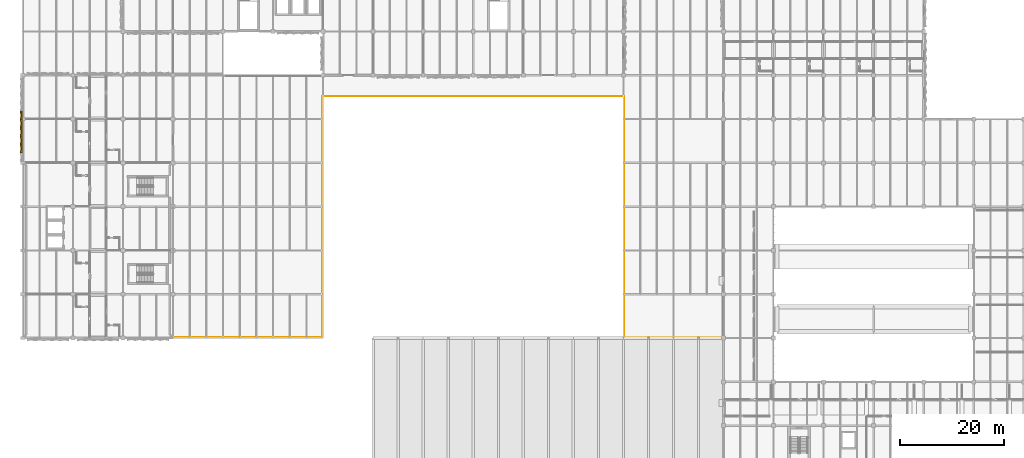
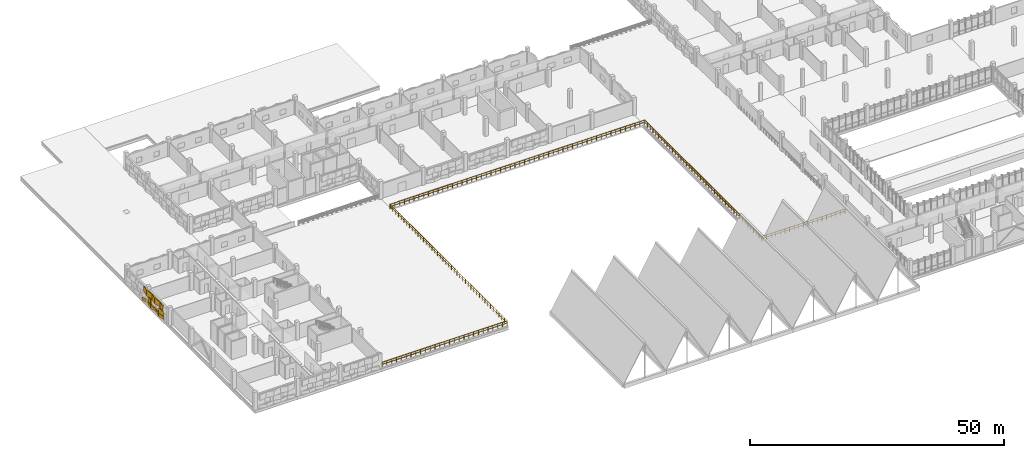
# One storey, part 71 of 86: 12 coverings, 1 railing.
"""IFC4 building model written with IfcOpenShell, lengths in metres."""

from ifc_helpers import new_model, si_unit, direction, frame, origin, origin_2d, place, context, subcontext, project, spatial, polyline, circle, outline, extrude, material, type_object, element, save


model = new_model("IFC4")

# Units and contexts
model_context = context("Model", 3, precision=1e-05, world=origin(), true_north=direction((0.0, 1.0)))
body_context = subcontext(model_context, "Body", "Model", "MODEL_VIEW")
ifc_project = project(units=[si_unit("LENGTHUNIT", "METRE"), si_unit("AREAUNIT", "SQUARE_METRE"), si_unit("VOLUMEUNIT", "CUBIC_METRE"), si_unit("PLANEANGLEUNIT", "RADIAN"), si_unit("MASSUNIT", "GRAM", prefix="KILO")], contexts=[model_context])

# Site, building, storey
site_placement = place(None, origin())
site = spatial("IfcSite", under=ifc_project, at=site_placement, CompositionType="ELEMENT")
building_placement = place(site_placement, origin())
building = spatial("IfcBuilding", under=site, at=building_placement, Name="Oolite Switchyard Hospital", CompositionType="ELEMENT")
storey_placement = place(building_placement, frame((0.0, 0.0, 13.5)))
storey = spatial("IfcBuildingStorey", under=building, at=storey_placement, Name="L03", CompositionType="ELEMENT", Elevation=13.5)

# Coverings
ifc_material_1 = material(Name="Precast oolitic limestone architectural concrete C40/50", Category="masonry")
covering_type = type_object("IfcCoveringType", Name="COV-CHEV-WARM", PredefinedType="CLADDING", material=ifc_material_1)
covering_1_placement = place(storey_placement, frame((-0.159912109375, 69.1201171875, 0.050048828125), z_axis=(0.0, 0.0, 1.0), x_axis=(0.0, 1.0, 0.0)))
element("IfcCovering", 1, at=covering_1_placement, inside=storey, type_object=covering_type, Name="L03 Chevron Precast Oolite Panel 345", PredefinedType="CLADDING", context=body_context, shape_type="SweptSolid", body=[
    extrude(outline(polyline([(0.0, 0.0), (1.599853515625, 0.0), (1.599853515625, 0.385009765625), (0.0, 0.044921875), (0.0, 0.0)])), origin(), (0.0, 0.0, 1.0), 0.760009765625),
])
covering_2_placement = place(storey_placement, frame((-0.159912109375, 69.1201171875, 2.090087890625), z_axis=(0.0, 0.0, 1.0), x_axis=(0.0, 1.0, 0.0)))
element("IfcCovering", 2, at=covering_2_placement, inside=storey, type_object=covering_type, Name="L03 Chevron Precast Oolite Panel 346", PredefinedType="CLADDING", context=body_context, shape_type="SweptSolid", body=[
    extrude(outline(polyline([(0.0, 0.0), (1.599853515625, 0.0), (1.599853515625, 0.044921875), (0.0, 0.385009765625), (0.0, 0.0)])), origin(), (0.0, 0.0, 1.0), 1.349853515625),
])
covering_3_placement = place(storey_placement, frame((-0.159912109375, 69.1201171875, 0.830078125), z_axis=(0.0, 0.0, 1.0), x_axis=(0.0, 1.0, 0.0)))
element("IfcCovering", 3, at=covering_3_placement, inside=storey, type_object=covering_type, Name="L03 Chevron Precast Oolite Panel 347", PredefinedType="CLADDING", context=body_context, shape_type="SweptSolid", body=[
    extrude(outline(polyline([(0.0, 0.0), (1.599853515625, 0.0), (1.599853515625, 0.385009765625), (0.0, 0.044921875), (0.0, 0.0)])), origin(), (0.0, 0.0, 1.0), 1.239990234375),
])
covering_4_placement = place(storey_placement, frame((-0.159912109375, 70.719970703125, 0.050048828125), z_axis=(0.0, 0.0, 1.0), x_axis=(0.0, 1.0, 0.0)))
element("IfcCovering", 4, at=covering_4_placement, inside=storey, type_object=covering_type, Name="L03 Chevron Precast Oolite Panel 348", PredefinedType="CLADDING", context=body_context, shape_type="SweptSolid", body=[
    extrude(outline(polyline([(0.0, 0.0), (1.60009765625, 0.0), (1.60009765625, 0.044921875), (0.0, 0.385009765625), (0.0, 0.0)])), origin(), (0.0, 0.0, 1.0), 0.760009765625),
])
covering_5_placement = place(storey_placement, frame((-0.159912109375, 70.719970703125, 2.090087890625), z_axis=(0.0, 0.0, 1.0), x_axis=(0.0, 1.0, 0.0)))
element("IfcCovering", 5, at=covering_5_placement, inside=storey, type_object=covering_type, Name="L03 Chevron Precast Oolite Panel 349", PredefinedType="CLADDING", context=body_context, shape_type="SweptSolid", body=[
    extrude(outline(polyline([(0.0, 0.0), (1.60009765625, 0.0), (1.60009765625, 0.385009765625), (0.0, 0.044921875), (0.0, 0.0)])), origin(), (0.0, 0.0, 1.0), 1.349853515625),
])
covering_6_placement = place(storey_placement, frame((-0.159912109375, 72.320068359375, 0.050048828125), z_axis=(0.0, 0.0, 1.0), x_axis=(0.0, 1.0, 0.0)))
element("IfcCovering", 6, at=covering_6_placement, inside=storey, type_object=covering_type, Name="L03 Chevron Precast Oolite Panel 350", PredefinedType="CLADDING", context=body_context, shape_type="SweptSolid", body=[
    extrude(outline(polyline([(0.0, 0.0), (1.599853515625, 0.0), (1.599853515625, 0.385009765625), (0.0, 0.044921875), (0.0, 0.0)])), origin(), (0.0, 0.0, 1.0), 0.760009765625),
])
covering_7_placement = place(storey_placement, frame((-0.159912109375, 72.320068359375, 2.090087890625), z_axis=(0.0, 0.0, 1.0), x_axis=(0.0, 1.0, 0.0)))
element("IfcCovering", 7, at=covering_7_placement, inside=storey, type_object=covering_type, Name="L03 Chevron Precast Oolite Panel 351", PredefinedType="CLADDING", context=body_context, shape_type="SweptSolid", body=[
    extrude(outline(polyline([(0.0, 0.0), (1.599853515625, 0.0), (1.599853515625, 0.044921875), (0.0, 0.385009765625), (0.0, 0.0)])), origin(), (0.0, 0.0, 1.0), 1.349853515625),
])
covering_8_placement = place(storey_placement, frame((-0.159912109375, 73.919921875, 0.050048828125), z_axis=(0.0, 0.0, 1.0), x_axis=(0.0, 1.0, 0.0)))
element("IfcCovering", 8, at=covering_8_placement, inside=storey, type_object=covering_type, Name="L03 Chevron Precast Oolite Panel 352", PredefinedType="CLADDING", context=body_context, shape_type="SweptSolid", body=[
    extrude(outline(polyline([(0.0, 0.0), (1.60009765625, 0.0), (1.60009765625, 0.044921875), (0.0, 0.385009765625), (0.0, 0.0)])), origin(), (0.0, 0.0, 1.0), 0.760009765625),
])
covering_9_placement = place(storey_placement, frame((-0.159912109375, 73.919921875, 2.090087890625), z_axis=(0.0, 0.0, 1.0), x_axis=(0.0, 1.0, 0.0)))
element("IfcCovering", 9, at=covering_9_placement, inside=storey, type_object=covering_type, Name="L03 Chevron Precast Oolite Panel 353", PredefinedType="CLADDING", context=body_context, shape_type="SweptSolid", body=[
    extrude(outline(polyline([(0.0, 0.0), (1.60009765625, 0.0), (1.60009765625, 0.385009765625), (0.0, 0.044921875), (0.0, 0.0)])), origin(), (0.0, 0.0, 1.0), 1.349853515625),
])
covering_10_placement = place(storey_placement, frame((-0.159912109375, 73.919921875, 0.830078125), z_axis=(0.0, 0.0, 1.0), x_axis=(0.0, 1.0, 0.0)))
element("IfcCovering", 10, at=covering_10_placement, inside=storey, type_object=covering_type, Name="L03 Chevron Precast Oolite Panel 354", PredefinedType="CLADDING", context=body_context, shape_type="SweptSolid", body=[
    extrude(outline(polyline([(0.0, 0.0), (1.60009765625, 0.0), (1.60009765625, 0.044921875), (0.0, 0.385009765625), (0.0, 0.0)])), origin(), (0.0, 0.0, 1.0), 1.239990234375),
])
covering_11_placement = place(storey_placement, frame((-0.159912109375, 75.52001953125, 0.050048828125), z_axis=(0.0, 0.0, 1.0), x_axis=(0.0, 1.0, 0.0)))
element("IfcCovering", 11, at=covering_11_placement, inside=storey, type_object=covering_type, Name="L03 Chevron Precast Oolite Panel 355", PredefinedType="CLADDING", context=body_context, shape_type="SweptSolid", body=[
    extrude(outline(polyline([(0.0, 0.0), (1.60009765625, 0.0), (1.60009765625, 0.385009765625), (0.0, 0.044921875), (0.0, 0.0)])), origin(), (0.0, 0.0, 1.0), 0.760009765625),
])
covering_12_placement = place(storey_placement, frame((-0.159912109375, 75.52001953125, 2.090087890625), z_axis=(0.0, 0.0, 1.0), x_axis=(0.0, 1.0, 0.0)))
element("IfcCovering", 12, at=covering_12_placement, inside=storey, type_object=covering_type, Name="L03 Chevron Precast Oolite Panel 356", PredefinedType="CLADDING", context=body_context, shape_type="SweptSolid", body=[
    extrude(outline(polyline([(0.0, 0.0), (1.60009765625, 0.0), (1.60009765625, 0.044921875), (0.0, 0.385009765625), (0.0, 0.0)])), origin(), (0.0, 0.0, 1.0), 1.349853515625),
])

# Railing
ifc_material_2 = material(Name="Precast oolitic limestone classical balustrade", Category="masonry")
railing_type = type_object("IfcRailingType", Name="RL-BAL-110", PredefinedType="BALUSTRADE", material=ifc_material_2)
railing_placement = place(storey_placement, frame((28.949951171875, 33.75, 0.0)))
element("IfcRailing", 13, at=railing_placement, inside=storey, type_object=railing_type, Name="L03 Terrace Perimeter Guard 4", PredefinedType="BALUSTRADE", context=body_context, shape_type="SweptSolid", body=[
    extrude(circle(Radius=0.02392578125, at=origin_2d()), frame((0.0, 0.0, 1.076171875), z_axis=(1.0, 0.0, 0.0), x_axis=(0.0, 1.0, 0.0)), (0.0, 0.0, 1.0), 28.5),
    extrude(circle(Radius=0.015625, at=origin_2d()), frame((0.0, 0.0, 0.550048828125), z_axis=(1.0, 0.0, 0.0), x_axis=(0.0, 1.0, 0.0)), (0.0, 0.0, 1.0), 28.5),
    extrude(circle(Radius=0.02392578125, at=origin_2d()), frame((28.5, 0.0, 1.076171875), z_axis=(0.0, 1.0, 0.0), x_axis=(-1.0, 0.0, 0.0)), (0.0, 0.0, 1.0), 46.199951171875),
    extrude(circle(Radius=0.015625, at=origin_2d()), frame((28.5, 0.0, 0.550048828125), z_axis=(0.0, 1.0, 0.0), x_axis=(-1.0, 0.0, 0.0)), (0.0, 0.0, 1.0), 46.199951171875),
    extrude(circle(Radius=0.02392578125, at=origin_2d()), frame((28.5, 46.199951171875, 1.076171875), z_axis=(1.0, 0.0, 0.0), x_axis=(0.0, 1.0, 0.0)), (0.0, 0.0, 1.0), 57.900146484375),
    extrude(circle(Radius=0.015625, at=origin_2d()), frame((28.5, 46.199951171875, 0.550048828125), z_axis=(1.0, 0.0, 0.0), x_axis=(0.0, 1.0, 0.0)), (0.0, 0.0, 1.0), 57.900146484375),
    extrude(circle(Radius=0.02392578125, at=origin_2d()), frame((86.400146484375, 46.199951171875, 1.076171875), z_axis=(0.0, -1.0, 0.0), x_axis=(1.0, 0.0, 0.0)), (0.0, 0.0, 1.0), 46.199951171875),
    extrude(circle(Radius=0.015625, at=origin_2d()), frame((86.400146484375, 46.199951171875, 0.550048828125), z_axis=(0.0, -1.0, 0.0), x_axis=(1.0, 0.0, 0.0)), (0.0, 0.0, 1.0), 46.199951171875),
    extrude(circle(Radius=0.02392578125, at=origin_2d()), frame((86.400146484375, 0.0, 1.076171875), z_axis=(1.0, 0.0, 0.0), x_axis=(0.0, 1.0, 0.0)), (0.0, 0.0, 1.0), 18.89990234375),
    extrude(circle(Radius=0.015625, at=origin_2d()), frame((86.400146484375, 0.0, 0.550048828125), z_axis=(1.0, 0.0, 0.0), x_axis=(0.0, 1.0, 0.0)), (0.0, 0.0, 1.0), 18.89990234375),
    extrude(circle(Radius=0.02099609375, at=origin_2d()), origin(), (0.0, 0.0, 1.0), 1.052001953125),
    extrude(circle(Radius=0.02099609375, at=origin_2d()), frame((1.09619140625, 0.0, 0.0)), (0.0, 0.0, 1.0), 1.052001953125),
    extrude(circle(Radius=0.02099609375, at=origin_2d()), frame((2.1923828125, 0.0, 0.0)), (0.0, 0.0, 1.0), 1.052001953125),
    extrude(circle(Radius=0.02099609375, at=origin_2d()), frame((3.28857421875, 0.0, 0.0)), (0.0, 0.0, 1.0), 1.052001953125),
    extrude(circle(Radius=0.02099609375, at=origin_2d()), frame((4.384521484375, 0.0, 0.0)), (0.0, 0.0, 1.0), 1.052001953125),
    extrude(circle(Radius=0.02099609375, at=origin_2d()), frame((5.480712890625, 0.0, 0.0)), (0.0, 0.0, 1.0), 1.052001953125),
    extrude(circle(Radius=0.02099609375, at=origin_2d()), frame((6.576904296875, 0.0, 0.0)), (0.0, 0.0, 1.0), 1.052001953125),
    extrude(circle(Radius=0.02099609375, at=origin_2d()), frame((7.673095703125, 0.0, 0.0)), (0.0, 0.0, 1.0), 1.052001953125),
    extrude(circle(Radius=0.02099609375, at=origin_2d()), frame((8.769287109375, 0.0, 0.0)), (0.0, 0.0, 1.0), 1.052001953125),
    extrude(circle(Radius=0.02099609375, at=origin_2d()), frame((9.865478515625, 0.0, 0.0)), (0.0, 0.0, 1.0), 1.052001953125),
    extrude(circle(Radius=0.02099609375, at=origin_2d()), frame((10.96142578125, 0.0, 0.0)), (0.0, 0.0, 1.0), 1.052001953125),
    extrude(circle(Radius=0.02099609375, at=origin_2d()), frame((12.0576171875, 0.0, 0.0)), (0.0, 0.0, 1.0), 1.052001953125),
    extrude(circle(Radius=0.02099609375, at=origin_2d()), frame((13.15380859375, 0.0, 0.0)), (0.0, 0.0, 1.0), 1.052001953125),
    extrude(circle(Radius=0.02099609375, at=origin_2d()), frame((14.25, 0.0, 0.0)), (0.0, 0.0, 1.0), 1.052001953125),
    extrude(circle(Radius=0.02099609375, at=origin_2d()), frame((15.34619140625, 0.0, 0.0)), (0.0, 0.0, 1.0), 1.052001953125),
    extrude(circle(Radius=0.02099609375, at=origin_2d()), frame((16.4423828125, 0.0, 0.0)), (0.0, 0.0, 1.0), 1.052001953125),
    extrude(circle(Radius=0.02099609375, at=origin_2d()), frame((17.53857421875, 0.0, 0.0)), (0.0, 0.0, 1.0), 1.052001953125),
    extrude(circle(Radius=0.02099609375, at=origin_2d()), frame((18.634521484375, 0.0, 0.0)), (0.0, 0.0, 1.0), 1.052001953125),
    extrude(circle(Radius=0.02099609375, at=origin_2d()), frame((19.730712890625, 0.0, 0.0)), (0.0, 0.0, 1.0), 1.052001953125),
    extrude(circle(Radius=0.02099609375, at=origin_2d()), frame((20.826904296875, 0.0, 0.0)), (0.0, 0.0, 1.0), 1.052001953125),
    extrude(circle(Radius=0.02099609375, at=origin_2d()), frame((21.923095703125, 0.0, 0.0)), (0.0, 0.0, 1.0), 1.052001953125),
    extrude(circle(Radius=0.02099609375, at=origin_2d()), frame((23.019287109375, 0.0, 0.0)), (0.0, 0.0, 1.0), 1.052001953125),
    extrude(circle(Radius=0.02099609375, at=origin_2d()), frame((24.115478515625, 0.0, 0.0)), (0.0, 0.0, 1.0), 1.052001953125),
    extrude(circle(Radius=0.02099609375, at=origin_2d()), frame((25.21142578125, 0.0, 0.0)), (0.0, 0.0, 1.0), 1.052001953125),
    extrude(circle(Radius=0.02099609375, at=origin_2d()), frame((26.3076171875, 0.0, 0.0)), (0.0, 0.0, 1.0), 1.052001953125),
    extrude(circle(Radius=0.02099609375, at=origin_2d()), frame((27.40380859375, 0.0, 0.0)), (0.0, 0.0, 1.0), 1.052001953125),
    extrude(circle(Radius=0.02099609375, at=origin_2d()), frame((28.5, 0.0, 0.0)), (0.0, 0.0, 1.0), 1.052001953125),
    extrude(circle(Radius=0.02099609375, at=origin_2d()), frame((28.5, 1.10009765625, 0.0)), (0.0, 0.0, 1.0), 1.052001953125),
    extrude(circle(Radius=0.02099609375, at=origin_2d()), frame((28.5, 2.199951171875, 0.0)), (0.0, 0.0, 1.0), 1.052001953125),
    extrude(circle(Radius=0.02099609375, at=origin_2d()), frame((28.5, 3.300048828125, 0.0)), (0.0, 0.0, 1.0), 1.052001953125),
    extrude(circle(Radius=0.02099609375, at=origin_2d()), frame((28.5, 4.39990234375, 0.0)), (0.0, 0.0, 1.0), 1.052001953125),
    extrude(circle(Radius=0.02099609375, at=origin_2d()), frame((28.5, 5.5, 0.0)), (0.0, 0.0, 1.0), 1.052001953125),
    extrude(circle(Radius=0.02099609375, at=origin_2d()), frame((28.5, 6.60009765625, 0.0)), (0.0, 0.0, 1.0), 1.052001953125),
    extrude(circle(Radius=0.02099609375, at=origin_2d()), frame((28.5, 7.699951171875, 0.0)), (0.0, 0.0, 1.0), 1.052001953125),
    extrude(circle(Radius=0.02099609375, at=origin_2d()), frame((28.5, 8.800048828125, 0.0)), (0.0, 0.0, 1.0), 1.052001953125),
    extrude(circle(Radius=0.02099609375, at=origin_2d()), frame((28.5, 9.89990234375, 0.0)), (0.0, 0.0, 1.0), 1.052001953125),
    extrude(circle(Radius=0.02099609375, at=origin_2d()), frame((28.5, 11.0, 0.0)), (0.0, 0.0, 1.0), 1.052001953125),
    extrude(circle(Radius=0.02099609375, at=origin_2d()), frame((28.5, 12.10009765625, 0.0)), (0.0, 0.0, 1.0), 1.052001953125),
    extrude(circle(Radius=0.02099609375, at=origin_2d()), frame((28.5, 13.199951171875, 0.0)), (0.0, 0.0, 1.0), 1.052001953125),
    extrude(circle(Radius=0.02099609375, at=origin_2d()), frame((28.5, 14.300048828125, 0.0)), (0.0, 0.0, 1.0), 1.052001953125),
    extrude(circle(Radius=0.02099609375, at=origin_2d()), frame((28.5, 15.39990234375, 0.0)), (0.0, 0.0, 1.0), 1.052001953125),
    extrude(circle(Radius=0.02099609375, at=origin_2d()), frame((28.5, 16.5, 0.0)), (0.0, 0.0, 1.0), 1.052001953125),
    extrude(circle(Radius=0.02099609375, at=origin_2d()), frame((28.5, 17.60009765625, 0.0)), (0.0, 0.0, 1.0), 1.052001953125),
    extrude(circle(Radius=0.02099609375, at=origin_2d()), frame((28.5, 18.699951171875, 0.0)), (0.0, 0.0, 1.0), 1.052001953125),
    extrude(circle(Radius=0.02099609375, at=origin_2d()), frame((28.5, 19.800048828125, 0.0)), (0.0, 0.0, 1.0), 1.052001953125),
    extrude(circle(Radius=0.02099609375, at=origin_2d()), frame((28.5, 20.89990234375, 0.0)), (0.0, 0.0, 1.0), 1.052001953125),
    extrude(circle(Radius=0.02099609375, at=origin_2d()), frame((28.5, 22.0, 0.0)), (0.0, 0.0, 1.0), 1.052001953125),
    extrude(circle(Radius=0.02099609375, at=origin_2d()), frame((28.5, 23.10009765625, 0.0)), (0.0, 0.0, 1.0), 1.052001953125),
    extrude(circle(Radius=0.02099609375, at=origin_2d()), frame((28.5, 24.199951171875, 0.0)), (0.0, 0.0, 1.0), 1.052001953125),
    extrude(circle(Radius=0.02099609375, at=origin_2d()), frame((28.5, 25.300048828125, 0.0)), (0.0, 0.0, 1.0), 1.052001953125),
    extrude(circle(Radius=0.02099609375, at=origin_2d()), frame((28.5, 26.39990234375, 0.0)), (0.0, 0.0, 1.0), 1.052001953125),
    extrude(circle(Radius=0.02099609375, at=origin_2d()), frame((28.5, 27.5, 0.0)), (0.0, 0.0, 1.0), 1.052001953125),
    extrude(circle(Radius=0.02099609375, at=origin_2d()), frame((28.5, 28.599853515625, 0.0)), (0.0, 0.0, 1.0), 1.052001953125),
    extrude(circle(Radius=0.02099609375, at=origin_2d()), frame((28.5, 29.699951171875, 0.0)), (0.0, 0.0, 1.0), 1.052001953125),
    extrude(circle(Radius=0.02099609375, at=origin_2d()), frame((28.5, 30.800048828125, 0.0)), (0.0, 0.0, 1.0), 1.052001953125),
    extrude(circle(Radius=0.02099609375, at=origin_2d()), frame((28.5, 31.89990234375, 0.0)), (0.0, 0.0, 1.0), 1.052001953125),
    extrude(circle(Radius=0.02099609375, at=origin_2d()), frame((28.5, 33.0, 0.0)), (0.0, 0.0, 1.0), 1.052001953125),
    extrude(circle(Radius=0.02099609375, at=origin_2d()), frame((28.5, 34.099853515625, 0.0)), (0.0, 0.0, 1.0), 1.052001953125),
    extrude(circle(Radius=0.02099609375, at=origin_2d()), frame((28.5, 35.199951171875, 0.0)), (0.0, 0.0, 1.0), 1.052001953125),
    extrude(circle(Radius=0.02099609375, at=origin_2d()), frame((28.5, 36.300048828125, 0.0)), (0.0, 0.0, 1.0), 1.052001953125),
    extrude(circle(Radius=0.02099609375, at=origin_2d()), frame((28.5, 37.39990234375, 0.0)), (0.0, 0.0, 1.0), 1.052001953125),
    extrude(circle(Radius=0.02099609375, at=origin_2d()), frame((28.5, 38.5, 0.0)), (0.0, 0.0, 1.0), 1.052001953125),
    extrude(circle(Radius=0.02099609375, at=origin_2d()), frame((28.5, 39.599853515625, 0.0)), (0.0, 0.0, 1.0), 1.052001953125),
    extrude(circle(Radius=0.02099609375, at=origin_2d()), frame((28.5, 40.699951171875, 0.0)), (0.0, 0.0, 1.0), 1.052001953125),
    extrude(circle(Radius=0.02099609375, at=origin_2d()), frame((28.5, 41.800048828125, 0.0)), (0.0, 0.0, 1.0), 1.052001953125),
    extrude(circle(Radius=0.02099609375, at=origin_2d()), frame((28.5, 42.89990234375, 0.0)), (0.0, 0.0, 1.0), 1.052001953125),
    extrude(circle(Radius=0.02099609375, at=origin_2d()), frame((28.5, 44.0, 0.0)), (0.0, 0.0, 1.0), 1.052001953125),
    extrude(circle(Radius=0.02099609375, at=origin_2d()), frame((28.5, 45.099853515625, 0.0)), (0.0, 0.0, 1.0), 1.052001953125),
    extrude(circle(Radius=0.02099609375, at=origin_2d()), frame((28.5, 46.199951171875, 0.0)), (0.0, 0.0, 1.0), 1.052001953125),
    extrude(circle(Radius=0.02099609375, at=origin_2d()), frame((29.592529296875, 46.199951171875, 0.0)), (0.0, 0.0, 1.0), 1.052001953125),
    extrude(circle(Radius=0.02099609375, at=origin_2d()), frame((30.684814453125, 46.199951171875, 0.0)), (0.0, 0.0, 1.0), 1.052001953125),
    extrude(circle(Radius=0.02099609375, at=origin_2d()), frame((31.77734375, 46.199951171875, 0.0)), (0.0, 0.0, 1.0), 1.052001953125),
    extrude(circle(Radius=0.02099609375, at=origin_2d()), frame((32.869873046875, 46.199951171875, 0.0)), (0.0, 0.0, 1.0), 1.052001953125),
    extrude(circle(Radius=0.02099609375, at=origin_2d()), frame((33.962158203125, 46.199951171875, 0.0)), (0.0, 0.0, 1.0), 1.052001953125),
    extrude(circle(Radius=0.02099609375, at=origin_2d()), frame((35.0546875, 46.199951171875, 0.0)), (0.0, 0.0, 1.0), 1.052001953125),
    extrude(circle(Radius=0.02099609375, at=origin_2d()), frame((36.147216796875, 46.199951171875, 0.0)), (0.0, 0.0, 1.0), 1.052001953125),
    extrude(circle(Radius=0.02099609375, at=origin_2d()), frame((37.23974609375, 46.199951171875, 0.0)), (0.0, 0.0, 1.0), 1.052001953125),
    extrude(circle(Radius=0.02099609375, at=origin_2d()), frame((38.33203125, 46.199951171875, 0.0)), (0.0, 0.0, 1.0), 1.052001953125),
    extrude(circle(Radius=0.02099609375, at=origin_2d()), frame((39.424560546875, 46.199951171875, 0.0)), (0.0, 0.0, 1.0), 1.052001953125),
    extrude(circle(Radius=0.02099609375, at=origin_2d()), frame((40.51708984375, 46.199951171875, 0.0)), (0.0, 0.0, 1.0), 1.052001953125),
    extrude(circle(Radius=0.02099609375, at=origin_2d()), frame((41.609375, 46.199951171875, 0.0)), (0.0, 0.0, 1.0), 1.052001953125),
    extrude(circle(Radius=0.02099609375, at=origin_2d()), frame((42.701904296875, 46.199951171875, 0.0)), (0.0, 0.0, 1.0), 1.052001953125),
    extrude(circle(Radius=0.02099609375, at=origin_2d()), frame((43.79443359375, 46.199951171875, 0.0)), (0.0, 0.0, 1.0), 1.052001953125),
    extrude(circle(Radius=0.02099609375, at=origin_2d()), frame((44.88671875, 46.199951171875, 0.0)), (0.0, 0.0, 1.0), 1.052001953125),
    extrude(circle(Radius=0.02099609375, at=origin_2d()), frame((45.979248046875, 46.199951171875, 0.0)), (0.0, 0.0, 1.0), 1.052001953125),
    extrude(circle(Radius=0.02099609375, at=origin_2d()), frame((47.07177734375, 46.199951171875, 0.0)), (0.0, 0.0, 1.0), 1.052001953125),
    extrude(circle(Radius=0.02099609375, at=origin_2d()), frame((48.164306640625, 46.199951171875, 0.0)), (0.0, 0.0, 1.0), 1.052001953125),
    extrude(circle(Radius=0.02099609375, at=origin_2d()), frame((49.256591796875, 46.199951171875, 0.0)), (0.0, 0.0, 1.0), 1.052001953125),
    extrude(circle(Radius=0.02099609375, at=origin_2d()), frame((50.34912109375, 46.199951171875, 0.0)), (0.0, 0.0, 1.0), 1.052001953125),
    extrude(circle(Radius=0.02099609375, at=origin_2d()), frame((51.441650390625, 46.199951171875, 0.0)), (0.0, 0.0, 1.0), 1.052001953125),
    extrude(circle(Radius=0.02099609375, at=origin_2d()), frame((52.533935546875, 46.199951171875, 0.0)), (0.0, 0.0, 1.0), 1.052001953125),
    extrude(circle(Radius=0.02099609375, at=origin_2d()), frame((53.62646484375, 46.199951171875, 0.0)), (0.0, 0.0, 1.0), 1.052001953125),
    extrude(circle(Radius=0.02099609375, at=origin_2d()), frame((54.718994140625, 46.199951171875, 0.0)), (0.0, 0.0, 1.0), 1.052001953125),
    extrude(circle(Radius=0.02099609375, at=origin_2d()), frame((55.811279296875, 46.199951171875, 0.0)), (0.0, 0.0, 1.0), 1.052001953125),
    extrude(circle(Radius=0.02099609375, at=origin_2d()), frame((56.90380859375, 46.199951171875, 0.0)), (0.0, 0.0, 1.0), 1.052001953125),
    extrude(circle(Radius=0.02099609375, at=origin_2d()), frame((57.996337890625, 46.199951171875, 0.0)), (0.0, 0.0, 1.0), 1.052001953125),
    extrude(circle(Radius=0.02099609375, at=origin_2d()), frame((59.0888671875, 46.199951171875, 0.0)), (0.0, 0.0, 1.0), 1.052001953125),
    extrude(circle(Radius=0.02099609375, at=origin_2d()), frame((60.18115234375, 46.199951171875, 0.0)), (0.0, 0.0, 1.0), 1.052001953125),
    extrude(circle(Radius=0.02099609375, at=origin_2d()), frame((61.273681640625, 46.199951171875, 0.0)), (0.0, 0.0, 1.0), 1.052001953125),
    extrude(circle(Radius=0.02099609375, at=origin_2d()), frame((62.3662109375, 46.199951171875, 0.0)), (0.0, 0.0, 1.0), 1.052001953125),
    extrude(circle(Radius=0.02099609375, at=origin_2d()), frame((63.45849609375, 46.199951171875, 0.0)), (0.0, 0.0, 1.0), 1.052001953125),
    extrude(circle(Radius=0.02099609375, at=origin_2d()), frame((64.551025390625, 46.199951171875, 0.0)), (0.0, 0.0, 1.0), 1.052001953125),
    extrude(circle(Radius=0.02099609375, at=origin_2d()), frame((65.6435546875, 46.199951171875, 0.0)), (0.0, 0.0, 1.0), 1.052001953125),
    extrude(circle(Radius=0.02099609375, at=origin_2d()), frame((66.73583984375, 46.199951171875, 0.0)), (0.0, 0.0, 1.0), 1.052001953125),
    extrude(circle(Radius=0.02099609375, at=origin_2d()), frame((67.828369140625, 46.199951171875, 0.0)), (0.0, 0.0, 1.0), 1.052001953125),
    extrude(circle(Radius=0.02099609375, at=origin_2d()), frame((68.9208984375, 46.199951171875, 0.0)), (0.0, 0.0, 1.0), 1.052001953125),
    extrude(circle(Radius=0.02099609375, at=origin_2d()), frame((70.013427734375, 46.199951171875, 0.0)), (0.0, 0.0, 1.0), 1.052001953125),
    extrude(circle(Radius=0.02099609375, at=origin_2d()), frame((71.105712890625, 46.199951171875, 0.0)), (0.0, 0.0, 1.0), 1.052001953125),
    extrude(circle(Radius=0.02099609375, at=origin_2d()), frame((72.1982421875, 46.199951171875, 0.0)), (0.0, 0.0, 1.0), 1.052001953125),
    extrude(circle(Radius=0.02099609375, at=origin_2d()), frame((73.290771484375, 46.199951171875, 0.0)), (0.0, 0.0, 1.0), 1.052001953125),
    extrude(circle(Radius=0.02099609375, at=origin_2d()), frame((74.383056640625, 46.199951171875, 0.0)), (0.0, 0.0, 1.0), 1.052001953125),
    extrude(circle(Radius=0.02099609375, at=origin_2d()), frame((75.4755859375, 46.199951171875, 0.0)), (0.0, 0.0, 1.0), 1.052001953125),
    extrude(circle(Radius=0.02099609375, at=origin_2d()), frame((76.568115234375, 46.199951171875, 0.0)), (0.0, 0.0, 1.0), 1.052001953125),
    extrude(circle(Radius=0.02099609375, at=origin_2d()), frame((77.660400390625, 46.199951171875, 0.0)), (0.0, 0.0, 1.0), 1.052001953125),
    extrude(circle(Radius=0.02099609375, at=origin_2d()), frame((78.7529296875, 46.199951171875, 0.0)), (0.0, 0.0, 1.0), 1.052001953125),
    extrude(circle(Radius=0.02099609375, at=origin_2d()), frame((79.845458984375, 46.199951171875, 0.0)), (0.0, 0.0, 1.0), 1.052001953125),
    extrude(circle(Radius=0.02099609375, at=origin_2d()), frame((80.93798828125, 46.199951171875, 0.0)), (0.0, 0.0, 1.0), 1.052001953125),
    extrude(circle(Radius=0.02099609375, at=origin_2d()), frame((82.0302734375, 46.199951171875, 0.0)), (0.0, 0.0, 1.0), 1.052001953125),
    extrude(circle(Radius=0.02099609375, at=origin_2d()), frame((83.122802734375, 46.199951171875, 0.0)), (0.0, 0.0, 1.0), 1.052001953125),
    extrude(circle(Radius=0.02099609375, at=origin_2d()), frame((84.21533203125, 46.199951171875, 0.0)), (0.0, 0.0, 1.0), 1.052001953125),
    extrude(circle(Radius=0.02099609375, at=origin_2d()), frame((85.3076171875, 46.199951171875, 0.0)), (0.0, 0.0, 1.0), 1.052001953125),
    extrude(circle(Radius=0.02099609375, at=origin_2d()), frame((86.400146484375, 46.199951171875, 0.0)), (0.0, 0.0, 1.0), 1.052001953125),
    extrude(circle(Radius=0.02099609375, at=origin_2d()), frame((86.400146484375, 45.099853515625, 0.0)), (0.0, 0.0, 1.0), 1.052001953125),
    extrude(circle(Radius=0.02099609375, at=origin_2d()), frame((86.400146484375, 44.0, 0.0)), (0.0, 0.0, 1.0), 1.052001953125),
    extrude(circle(Radius=0.02099609375, at=origin_2d()), frame((86.400146484375, 42.89990234375, 0.0)), (0.0, 0.0, 1.0), 1.052001953125),
    extrude(circle(Radius=0.02099609375, at=origin_2d()), frame((86.400146484375, 41.800048828125, 0.0)), (0.0, 0.0, 1.0), 1.052001953125),
    extrude(circle(Radius=0.02099609375, at=origin_2d()), frame((86.400146484375, 40.699951171875, 0.0)), (0.0, 0.0, 1.0), 1.052001953125),
    extrude(circle(Radius=0.02099609375, at=origin_2d()), frame((86.400146484375, 39.599853515625, 0.0)), (0.0, 0.0, 1.0), 1.052001953125),
    extrude(circle(Radius=0.02099609375, at=origin_2d()), frame((86.400146484375, 38.5, 0.0)), (0.0, 0.0, 1.0), 1.052001953125),
    extrude(circle(Radius=0.02099609375, at=origin_2d()), frame((86.400146484375, 37.39990234375, 0.0)), (0.0, 0.0, 1.0), 1.052001953125),
    extrude(circle(Radius=0.02099609375, at=origin_2d()), frame((86.400146484375, 36.300048828125, 0.0)), (0.0, 0.0, 1.0), 1.052001953125),
    extrude(circle(Radius=0.02099609375, at=origin_2d()), frame((86.400146484375, 35.199951171875, 0.0)), (0.0, 0.0, 1.0), 1.052001953125),
    extrude(circle(Radius=0.02099609375, at=origin_2d()), frame((86.400146484375, 34.099853515625, 0.0)), (0.0, 0.0, 1.0), 1.052001953125),
    extrude(circle(Radius=0.02099609375, at=origin_2d()), frame((86.400146484375, 33.0, 0.0)), (0.0, 0.0, 1.0), 1.052001953125),
    extrude(circle(Radius=0.02099609375, at=origin_2d()), frame((86.400146484375, 31.89990234375, 0.0)), (0.0, 0.0, 1.0), 1.052001953125),
    extrude(circle(Radius=0.02099609375, at=origin_2d()), frame((86.400146484375, 30.800048828125, 0.0)), (0.0, 0.0, 1.0), 1.052001953125),
    extrude(circle(Radius=0.02099609375, at=origin_2d()), frame((86.400146484375, 29.699951171875, 0.0)), (0.0, 0.0, 1.0), 1.052001953125),
    extrude(circle(Radius=0.02099609375, at=origin_2d()), frame((86.400146484375, 28.599853515625, 0.0)), (0.0, 0.0, 1.0), 1.052001953125),
    extrude(circle(Radius=0.02099609375, at=origin_2d()), frame((86.400146484375, 27.5, 0.0)), (0.0, 0.0, 1.0), 1.052001953125),
    extrude(circle(Radius=0.02099609375, at=origin_2d()), frame((86.400146484375, 26.39990234375, 0.0)), (0.0, 0.0, 1.0), 1.052001953125),
    extrude(circle(Radius=0.02099609375, at=origin_2d()), frame((86.400146484375, 25.300048828125, 0.0)), (0.0, 0.0, 1.0), 1.052001953125),
    extrude(circle(Radius=0.02099609375, at=origin_2d()), frame((86.400146484375, 24.199951171875, 0.0)), (0.0, 0.0, 1.0), 1.052001953125),
    extrude(circle(Radius=0.02099609375, at=origin_2d()), frame((86.400146484375, 23.10009765625, 0.0)), (0.0, 0.0, 1.0), 1.052001953125),
    extrude(circle(Radius=0.02099609375, at=origin_2d()), frame((86.400146484375, 22.0, 0.0)), (0.0, 0.0, 1.0), 1.052001953125),
    extrude(circle(Radius=0.02099609375, at=origin_2d()), frame((86.400146484375, 20.89990234375, 0.0)), (0.0, 0.0, 1.0), 1.052001953125),
    extrude(circle(Radius=0.02099609375, at=origin_2d()), frame((86.400146484375, 19.800048828125, 0.0)), (0.0, 0.0, 1.0), 1.052001953125),
    extrude(circle(Radius=0.02099609375, at=origin_2d()), frame((86.400146484375, 18.699951171875, 0.0)), (0.0, 0.0, 1.0), 1.052001953125),
    extrude(circle(Radius=0.02099609375, at=origin_2d()), frame((86.400146484375, 17.60009765625, 0.0)), (0.0, 0.0, 1.0), 1.052001953125),
    extrude(circle(Radius=0.02099609375, at=origin_2d()), frame((86.400146484375, 16.5, 0.0)), (0.0, 0.0, 1.0), 1.052001953125),
    extrude(circle(Radius=0.02099609375, at=origin_2d()), frame((86.400146484375, 15.39990234375, 0.0)), (0.0, 0.0, 1.0), 1.052001953125),
    extrude(circle(Radius=0.02099609375, at=origin_2d()), frame((86.400146484375, 14.300048828125, 0.0)), (0.0, 0.0, 1.0), 1.052001953125),
    extrude(circle(Radius=0.02099609375, at=origin_2d()), frame((86.400146484375, 13.199951171875, 0.0)), (0.0, 0.0, 1.0), 1.052001953125),
    extrude(circle(Radius=0.02099609375, at=origin_2d()), frame((86.400146484375, 12.10009765625, 0.0)), (0.0, 0.0, 1.0), 1.052001953125),
    extrude(circle(Radius=0.02099609375, at=origin_2d()), frame((86.400146484375, 11.0, 0.0)), (0.0, 0.0, 1.0), 1.052001953125),
    extrude(circle(Radius=0.02099609375, at=origin_2d()), frame((86.400146484375, 9.89990234375, 0.0)), (0.0, 0.0, 1.0), 1.052001953125),
    extrude(circle(Radius=0.02099609375, at=origin_2d()), frame((86.400146484375, 8.800048828125, 0.0)), (0.0, 0.0, 1.0), 1.052001953125),
    extrude(circle(Radius=0.02099609375, at=origin_2d()), frame((86.400146484375, 7.699951171875, 0.0)), (0.0, 0.0, 1.0), 1.052001953125),
    extrude(circle(Radius=0.02099609375, at=origin_2d()), frame((86.400146484375, 6.60009765625, 0.0)), (0.0, 0.0, 1.0), 1.052001953125),
    extrude(circle(Radius=0.02099609375, at=origin_2d()), frame((86.400146484375, 5.5, 0.0)), (0.0, 0.0, 1.0), 1.052001953125),
    extrude(circle(Radius=0.02099609375, at=origin_2d()), frame((86.400146484375, 4.39990234375, 0.0)), (0.0, 0.0, 1.0), 1.052001953125),
    extrude(circle(Radius=0.02099609375, at=origin_2d()), frame((86.400146484375, 3.300048828125, 0.0)), (0.0, 0.0, 1.0), 1.052001953125),
    extrude(circle(Radius=0.02099609375, at=origin_2d()), frame((86.400146484375, 2.199951171875, 0.0)), (0.0, 0.0, 1.0), 1.052001953125),
    extrude(circle(Radius=0.02099609375, at=origin_2d()), frame((86.400146484375, 1.10009765625, 0.0)), (0.0, 0.0, 1.0), 1.052001953125),
    extrude(circle(Radius=0.02099609375, at=origin_2d()), frame((86.400146484375, 0.0, 0.0)), (0.0, 0.0, 1.0), 1.052001953125),
    extrude(circle(Radius=0.02099609375, at=origin_2d()), frame((87.4501953125, 0.0, 0.0)), (0.0, 0.0, 1.0), 1.052001953125),
    extrude(circle(Radius=0.02099609375, at=origin_2d()), frame((88.500244140625, 0.0, 0.0)), (0.0, 0.0, 1.0), 1.052001953125),
    extrude(circle(Radius=0.02099609375, at=origin_2d()), frame((89.550048828125, 0.0, 0.0)), (0.0, 0.0, 1.0), 1.052001953125),
    extrude(circle(Radius=0.02099609375, at=origin_2d()), frame((90.60009765625, 0.0, 0.0)), (0.0, 0.0, 1.0), 1.052001953125),
    extrude(circle(Radius=0.02099609375, at=origin_2d()), frame((91.650146484375, 0.0, 0.0)), (0.0, 0.0, 1.0), 1.052001953125),
    extrude(circle(Radius=0.02099609375, at=origin_2d()), frame((92.7001953125, 0.0, 0.0)), (0.0, 0.0, 1.0), 1.052001953125),
    extrude(circle(Radius=0.02099609375, at=origin_2d()), frame((93.75, 0.0, 0.0)), (0.0, 0.0, 1.0), 1.052001953125),
    extrude(circle(Radius=0.02099609375, at=origin_2d()), frame((94.800048828125, 0.0, 0.0)), (0.0, 0.0, 1.0), 1.052001953125),
    extrude(circle(Radius=0.02099609375, at=origin_2d()), frame((95.85009765625, 0.0, 0.0)), (0.0, 0.0, 1.0), 1.052001953125),
    extrude(circle(Radius=0.02099609375, at=origin_2d()), frame((96.900146484375, 0.0, 0.0)), (0.0, 0.0, 1.0), 1.052001953125),
    extrude(circle(Radius=0.02099609375, at=origin_2d()), frame((97.9501953125, 0.0, 0.0)), (0.0, 0.0, 1.0), 1.052001953125),
    extrude(circle(Radius=0.02099609375, at=origin_2d()), frame((99.0, 0.0, 0.0)), (0.0, 0.0, 1.0), 1.052001953125),
    extrude(circle(Radius=0.02099609375, at=origin_2d()), frame((100.050048828125, 0.0, 0.0)), (0.0, 0.0, 1.0), 1.052001953125),
    extrude(circle(Radius=0.02099609375, at=origin_2d()), frame((101.10009765625, 0.0, 0.0)), (0.0, 0.0, 1.0), 1.052001953125),
    extrude(circle(Radius=0.02099609375, at=origin_2d()), frame((102.150146484375, 0.0, 0.0)), (0.0, 0.0, 1.0), 1.052001953125),
    extrude(circle(Radius=0.02099609375, at=origin_2d()), frame((103.199951171875, 0.0, 0.0)), (0.0, 0.0, 1.0), 1.052001953125),
    extrude(circle(Radius=0.02099609375, at=origin_2d()), frame((104.25, 0.0, 0.0)), (0.0, 0.0, 1.0), 1.052001953125),
    extrude(circle(Radius=0.02099609375, at=origin_2d()), frame((105.300048828125, 0.0, 0.0)), (0.0, 0.0, 1.0), 1.052001953125),
])

save(model, "model.ifc")
